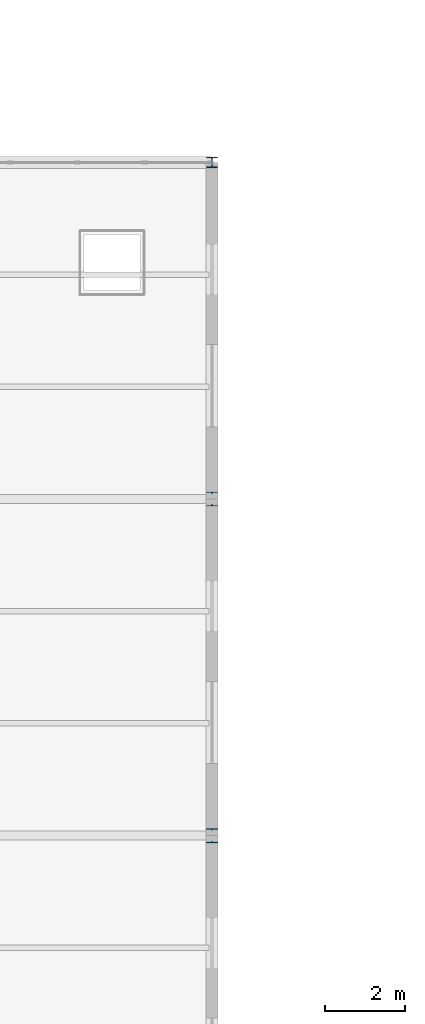
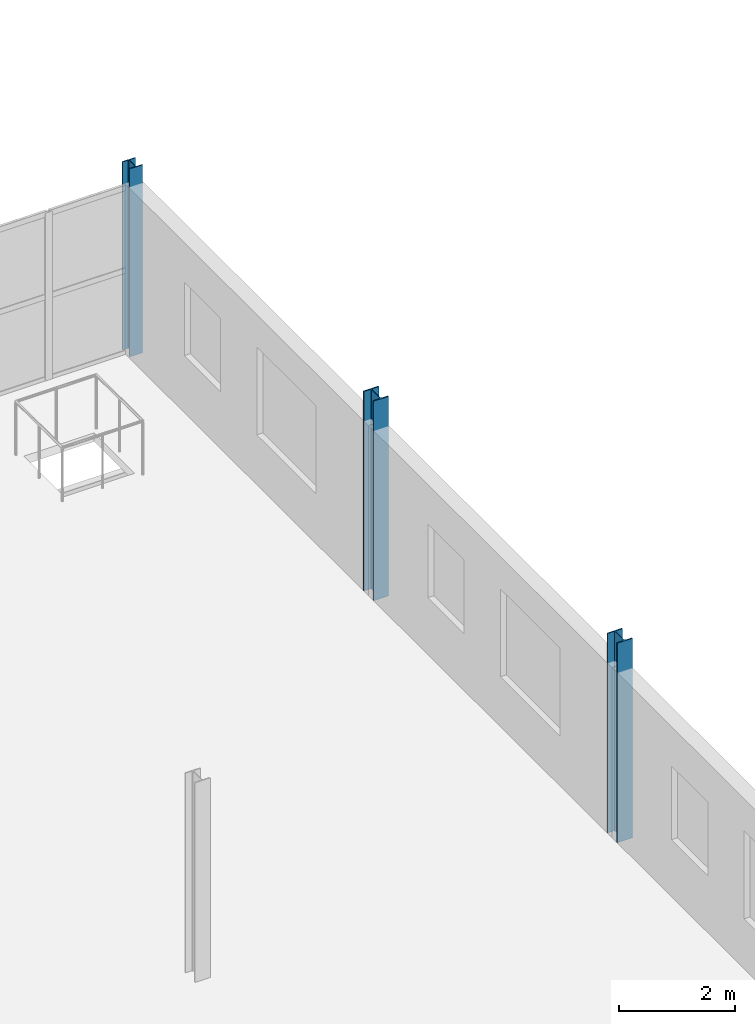
# One storey, part 21 of 163: 3 columns.
"""IFC4 building model written with IfcOpenShell, lengths in metres."""

import ifcopenshell
import ifcopenshell.guid

model = None  # the IFC model being written
_history = None  # IfcOwnerHistory: only IFC2X3 demands one
_inside = {}  # id of a spatial element -> (the spatial element, [elements in it])
_under = {}  # id of a project, library or spatial element -> (it, [spatial elements below it])
_declared = {}  # id of a project -> (the project, [libraries it declares])
_typed = {}  # id of a type object -> (the type object, [elements of that type])
_made_of = {}  # id of a material, layer set ... -> (it, [elements and type objects made of it])


def new_model(schema):
    """Start an empty IFC model of exactly this schema.

    Asked for "IFC4X3", IfcOpenShell would pick the latest addendum, in which some entities
    have other attributes; the version numbers below select the first issue.
    IFC2X3 requires an IfcOwnerHistory on every rooted entity: one is made here for all.
    """
    global model, _history
    if schema == "IFC4X3":
        model = ifcopenshell.file(schema_version=(4, 3, 0, 0))
    else:
        model = ifcopenshell.file(schema=schema)
    _inside.clear()
    _under.clear()
    _declared.clear()
    _typed.clear()
    _made_of.clear()
    _history = None
    if model.schema == "IFC2X3":
        org = make("IfcOrganization", Name="unknown")
        user = make(
            "IfcPersonAndOrganization",
            ThePerson=make("IfcPerson", FamilyName="unknown"),
            TheOrganization=org,
        )
        app = make(
            "IfcApplication",
            ApplicationDeveloper=org,
            Version="unknown",
            ApplicationFullName="unknown",
            ApplicationIdentifier="unknown",
        )
        _history = make(
            "IfcOwnerHistory",
            OwningUser=user,
            OwningApplication=app,
            ChangeAction="ADDED",
            CreationDate=0,
        )
    return model


def make(cls, **values):
    """One entity of the class cls with the attributes given. An attribute that is None is left unset."""
    return model.create_entity(
        cls, **{name: value for name, value in values.items() if value is not None}
    )


def rooted(cls, **values):
    """An entity with a GlobalId (a new one), such as an element, a storey or a relation."""
    return make(cls, GlobalId=ifcopenshell.guid.new(), OwnerHistory=_history, **values)


def si_unit(unit_type, name, prefix=None):
    """IfcSIUnit, for example si_unit("LENGTHUNIT", "METRE", prefix="MILLI")."""
    return make("IfcSIUnit", UnitType=unit_type, Prefix=prefix, Name=name)


def assignment(units):
    """IfcUnitAssignment: the units of a project."""
    return None if units is None else make("IfcUnitAssignment", Units=units)


def point(xyz):
    """IfcCartesianPoint."""
    return None if xyz is None else make("IfcCartesianPoint", Coordinates=xyz)


def direction(xyz):
    """IfcDirection."""
    return None if xyz is None else make("IfcDirection", DirectionRatios=xyz)


def frame(location, z_axis=None, x_axis=None):
    """IfcAxis2Placement3D, a coordinate frame: its origin and axes. An axis left out is left unset."""
    return make(
        "IfcAxis2Placement3D",
        Location=point(location),
        Axis=direction(z_axis),
        RefDirection=direction(x_axis),
    )


def frame_2d(location, x_axis=None):
    """IfcAxis2Placement2D, a coordinate frame in the plane: its origin and x axis."""
    return make(
        "IfcAxis2Placement2D", Location=point(location), RefDirection=direction(x_axis)
    )


def origin():
    """The frame at (0, 0, 0) with its axes left unset."""
    return frame((0.0, 0.0, 0.0))


def origin_2d():
    """The frame at (0, 0) in the plane with its x axis left unset."""
    return frame_2d((0.0, 0.0))


def place(relative_to, where):
    """IfcLocalPlacement: puts the frame where relative to a parent placement (None: the world)."""
    return make(
        "IfcLocalPlacement", PlacementRelTo=relative_to, RelativePlacement=where
    )


def context(
    kind, dimensions, precision=None, world=None, true_north=None, identifier=None
):
    """IfcGeometricRepresentationContext, for example the 3D "Model" context."""
    return make(
        "IfcGeometricRepresentationContext",
        ContextIdentifier=identifier,
        ContextType=kind,
        CoordinateSpaceDimension=dimensions,
        Precision=precision,
        WorldCoordinateSystem=world,
        TrueNorth=true_north,
    )


def subcontext(parent, identifier, kind, view, scale=None):
    """IfcGeometricRepresentationSubContext, for example "Body" below "Model"."""
    return make(
        "IfcGeometricRepresentationSubContext",
        ContextIdentifier=identifier,
        ContextType=kind,
        ParentContext=parent,
        TargetScale=scale,
        TargetView=view,
    )


def project(units=None, contexts=None):
    """IfcProject with its units and contexts."""
    return rooted(
        "IfcProject",
        Name="project",
        RepresentationContexts=contexts,
        UnitsInContext=assignment(units),
    )


def spatial(cls, under=None, at=None, **own):
    """A site, building, storey or space (cls), placed at a placement, below another one or the project."""
    s = rooted(cls, ObjectPlacement=at, **own)
    if under is not None:
        _under.setdefault(under.id(), (under, []))[1].append(s)
    return s


def profile(cls, at=None, kind="AREA", **sizes):
    """A parametric profile (cls). Its sizes go by their IFC names, for example OverallWidth=200.0."""
    return make(cls, ProfileType=kind, Position=at, **sizes)


def i_section(**sizes):
    """IfcIShapeProfileDef."""
    return profile("IfcIShapeProfileDef", **sizes)


def extrude(swept, where, along, depth):
    """IfcExtrudedAreaSolid: the profile swept, set in the frame where, extruded along a direction by depth."""
    return make(
        "IfcExtrudedAreaSolid",
        SweptArea=swept,
        Position=where,
        ExtrudedDirection=direction(along),
        Depth=depth,
    )


def shape(context_of_items, identifier, shape_type, items):
    """IfcShapeRepresentation: the items that make up one representation, for example the "Body"."""
    return make(
        "IfcShapeRepresentation",
        ContextOfItems=context_of_items,
        RepresentationIdentifier=identifier,
        RepresentationType=shape_type,
        Items=items,
    )


def material(Name=None, Category=None):
    """IfcMaterial."""
    return make("IfcMaterial", Name=Name, Category=Category)


def material_profile(
    of_material, cross_section, Name=None, Category=None, Priority=None
):
    """IfcMaterialProfile: a cross section and its material."""
    return make(
        "IfcMaterialProfile",
        Name=Name,
        Material=of_material,
        Profile=cross_section,
        Priority=Priority,
        Category=Category,
    )


def profile_set(profiles, Name=None, composite=None):
    """IfcMaterialProfileSet."""
    return make(
        "IfcMaterialProfileSet",
        Name=Name,
        MaterialProfiles=profiles,
        CompositeProfile=composite,
    )


def made_of(thing, what):
    """Note that an element or type object is made of a material, layer set ...; save() writes the relation."""
    if what is not None:
        _made_of.setdefault(what.id(), (what, []))[1].append(thing)
    return thing


def type_object(cls, material=None, **own):
    """A type object (cls), such as IfcWallType, which elements share."""
    return made_of(rooted(cls, **own), material)


def element(
    cls,
    number,
    at=None,
    inside=None,
    cuts=None,
    type_object=None,
    material=None,
    context=None,
    identifier="Body",
    shape_type=None,
    held_by="IfcProductDefinitionShape",
    body=None,
    shapes=None,
    **own,
):
    """One element of the class cls, such as IfcWall. Its Tag is "e" and its number.

    at: its placement. inside: the storey or other place that contains it. cuts: it is an
    opening in that element (IfcRelVoidsElement). A single representation is given by context,
    identifier, shape_type and body (its items); several are given by shapes. held_by: the class
    of the entity that holds the representations. save() writes the other relations.
    """
    e = rooted(cls, Tag="e%d" % number, ObjectPlacement=at, **own)
    if body is not None:
        shapes = [shape(context, identifier, shape_type, body)]
    if shapes is not None:
        e.Representation = make(held_by, Representations=shapes)
    if inside is not None:
        _inside.setdefault(inside.id(), (inside, []))[1].append(e)
    if cuts is not None:
        rooted(
            "IfcRelVoidsElement", RelatingBuildingElement=cuts, RelatedOpeningElement=e
        )
    if type_object is not None:
        _typed.setdefault(type_object.id(), (type_object, []))[1].append(e)
    return made_of(e, material)


def aggregate(whole, parts):
    """IfcRelAggregates: a whole, such as a stair, and the parts it consists of."""
    return rooted("IfcRelAggregates", RelatingObject=whole, RelatedObjects=parts)


def save(model, path):
    """Write the relations noted so far, then the file.

    IfcRelAggregates (storeys below a building ...), IfcRelContainedInSpatialStructure (elements
    in a storey), IfcRelDefinesByType, IfcRelAssociatesMaterial and IfcRelDeclares: one each for
    every whole, place, type object, material and project.
    """
    for whole, parts in _under.values():
        aggregate(whole, parts)
    for where, things in _inside.values():
        rooted(
            "IfcRelContainedInSpatialStructure",
            RelatedElements=things,
            RelatingStructure=where,
        )
    for kind, things in _typed.values():
        rooted("IfcRelDefinesByType", RelatedObjects=things, RelatingType=kind)
    for what, things in _made_of.values():
        rooted("IfcRelAssociatesMaterial", RelatedObjects=things, RelatingMaterial=what)
    for by, libraries in _declared.values():
        rooted("IfcRelDeclares", RelatingContext=by, RelatedDefinitions=libraries)
    model.write(path)


model = new_model("IFC4")

# Units and contexts
model_context = context("Model", 3, precision=1e-05, world=origin(), true_north=direction((0.0, 1.0)))
body_context = subcontext(model_context, "Body", "Model", "MODEL_VIEW")
ifc_project = project(units=[si_unit("LENGTHUNIT", "METRE"), si_unit("AREAUNIT", "SQUARE_METRE"), si_unit("VOLUMEUNIT", "CUBIC_METRE"), si_unit("PLANEANGLEUNIT", "RADIAN"), si_unit("MASSUNIT", "GRAM", prefix="KILO")], contexts=[model_context])

# Site, building, storey
site_placement = place(None, origin())
site = spatial("IfcSite", under=ifc_project, at=site_placement, CompositionType="ELEMENT")
building_placement = place(site_placement, origin())
building = spatial("IfcBuilding", under=site, at=building_placement, Name="Qalvenar Corner Mobility Hub", CompositionType="ELEMENT")
storey_placement = place(building_placement, frame((0.0, 0.0, 4.800048828125)))
storey = spatial("IfcBuildingStorey", under=building, at=storey_placement, Name="L01", CompositionType="ELEMENT", Elevation=4.800048828125)

# Columns
ifc_material = material(Name="Steel S355", Category="steel")
ifc_material_profile_1 = material_profile(ifc_material, i_section(OverallWidth=0.260009765625, OverallDepth=0.260009765625, WebThickness=0.010009765625, FlangeThickness=0.017578125, FilletRadius=0.02392578125, at=origin_2d()), Name="HEB260")
ifc_profile_set_1 = profile_set([ifc_material_profile_1], Name="Steel S355")
column_type_1 = type_object("IfcColumnType", Name="COL-HEB260", PredefinedType="COLUMN", material=ifc_profile_set_1)
column_placement = place(storey_placement, frame((168.0, 50.39990234375, 0.0), z_axis=(0.0, 0.0, 1.0), x_axis=(1.0, 0.0, 0.0)))
element("IfcColumn", 1, at=column_placement, inside=storey, type_object=column_type_1, Name="Steel Column L01-G21-6", PredefinedType="COLUMN", context=body_context, shape_type="SweptSolid", body=[
    extrude(i_section(OverallWidth=0.260009765625, OverallDepth=0.260009765625, WebThickness=0.010009765625, FlangeThickness=0.017578125, FilletRadius=0.02392578125, at=origin_2d()), origin(), (0.0, 0.0, 1.0), 3.9580078125),
])
ifc_material_profile_2 = material_profile(ifc_material, i_section(OverallWidth=0.300048828125, OverallDepth=0.360107421875, WebThickness=0.012451171875, FlangeThickness=0.0224609375, FilletRadius=0.027099609375, at=origin_2d()), Name="HEB360")
ifc_profile_set_2 = profile_set([ifc_material_profile_2], Name="Steel S355")
column_type_2 = type_object("IfcColumnType", Name="COL-HEB360", PredefinedType="COLUMN", material=ifc_profile_set_2)
for number, where, z_axis, x_axis, name in (
    (2, (168.0, 33.60009765625, 0.0), (0.0, 0.0, 1.0), (1.0, 0.0, 0.0), "Steel Column L01-G21-4"),
    (3, (168.0, 42.0, 0.0), (0.0, 0.0, 1.0), (1.0, 0.0, 0.0), "Steel Column L01-G21-5"),
):
    element("IfcColumn", number, at=place(storey_placement, frame(where, z_axis=z_axis, x_axis=x_axis)), inside=storey, type_object=column_type_2, Name=name, PredefinedType="COLUMN", context=body_context, shape_type="SweptSolid", body=[
        extrude(i_section(OverallWidth=0.300048828125, OverallDepth=0.360107421875, WebThickness=0.012451171875, FlangeThickness=0.0224609375, FilletRadius=0.027099609375, at=origin_2d()), origin(), (0.0, 0.0, 1.0), 4.199951171875),
    ])

save(model, "model.ifc")
